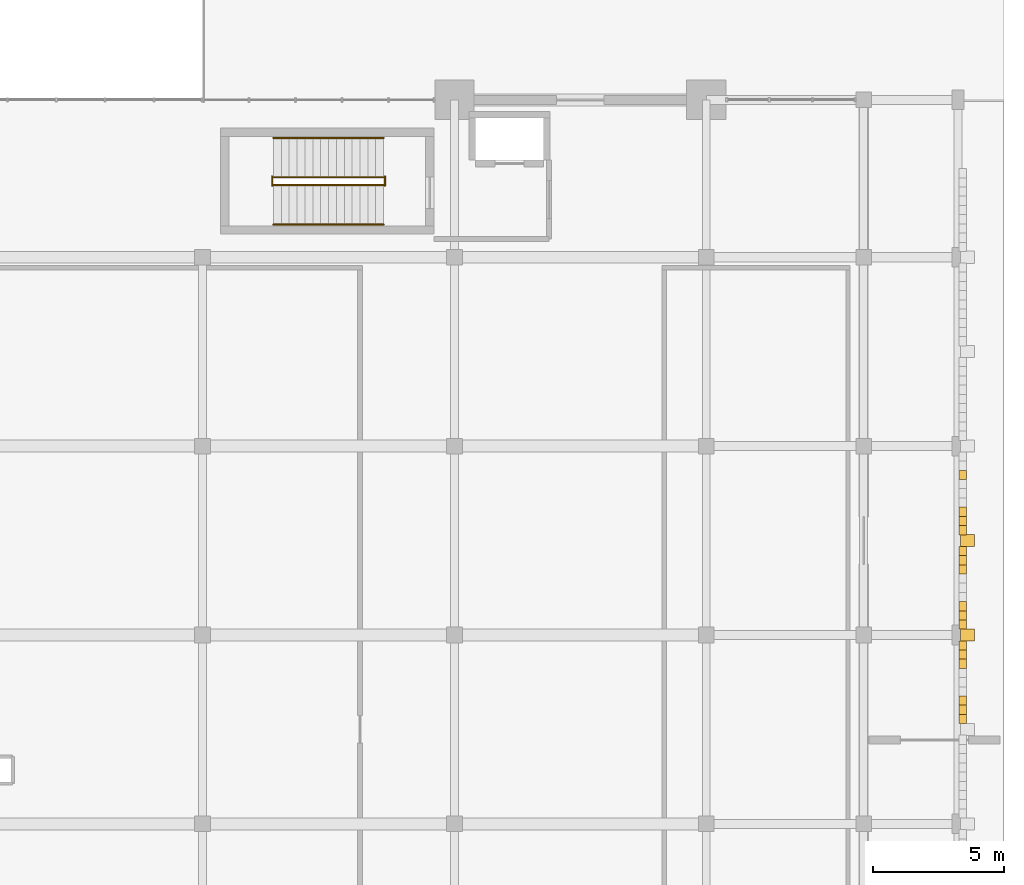
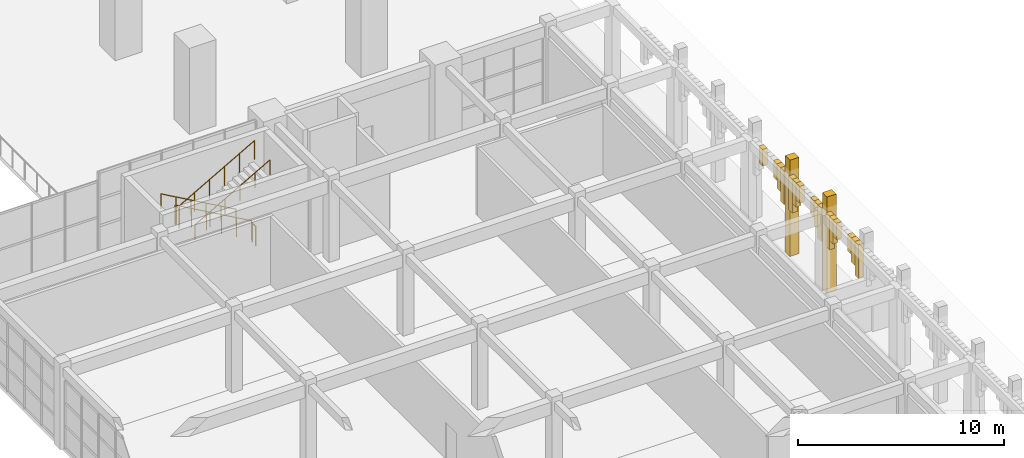
# One storey, part 60 of 72: 18 coverings, 6 railings.
"""IFC4 building model written with IfcOpenShell, lengths in metres."""

from ifc_helpers import new_model, si_unit, direction, frame, origin, origin_2d, place, context, subcontext, project, spatial, rectangle, circle, extrude, material, layer, layer_set, type_object, element, save


model = new_model("IFC4")

# Units and contexts
model_context = context("Model", 3, precision=1e-05, world=origin(), true_north=direction((0.0, 1.0)))
body_context = subcontext(model_context, "Body", "Model", "MODEL_VIEW")
ifc_project = project(units=[si_unit("LENGTHUNIT", "METRE"), si_unit("AREAUNIT", "SQUARE_METRE"), si_unit("VOLUMEUNIT", "CUBIC_METRE"), si_unit("PLANEANGLEUNIT", "RADIAN"), si_unit("MASSUNIT", "GRAM", prefix="KILO")], contexts=[model_context])

# Site, building, storey
site_placement = place(None, origin())
site = spatial("IfcSite", under=ifc_project, at=site_placement, CompositionType="ELEMENT")
building_placement = place(site_placement, origin())
building = spatial("IfcBuilding", under=site, at=building_placement, Name="Nzembalo Square Collegiate School", CompositionType="ELEMENT")
storey_placement = place(building_placement, origin())
storey = spatial("IfcBuildingStorey", under=building, at=storey_placement, Name="L00", CompositionType="ELEMENT", Elevation=0.0)

# Coverings
ifc_material_1 = material(Name="Precast concrete C40/50 arch voussoir", Category="concrete")
ifc_layer = layer(ifc_material_1, 0.1201171875, Name="Precast concrete C40/50 arch voussoir")
ifc_layer_set = layer_set([ifc_layer], Name="Precast concrete C40/50 arch voussoir")
covering_type = type_object("IfcCoveringType", Name="AR01", PredefinedType="CLADDING", material=ifc_layer_set)
covering_1_placement = place(storey_placement, frame((169.3798828125, 26.795654296875, 2.808349609375), z_axis=(0.0, 0.0, 1.0), x_axis=(1.0, 0.0, 0.0)))
element("IfcCovering", 1, at=covering_1_placement, inside=storey, type_object=covering_type, Name="Gothic pointed arch voussoir AR01-082-0", PredefinedType="CLADDING", context=body_context, shape_type="SweptSolid", body=[
    extrude(rectangle(XDim=0.280029296875, YDim=0.35107421875, at=origin_2d()), origin(), (0.0, 0.0, 1.0), 1.99169921875),
])
covering_2_placement = place(storey_placement, frame((169.3798828125, 27.146728515625, 3.361083984375), z_axis=(0.0, 0.0, 1.0), x_axis=(1.0, 0.0, 0.0)))
element("IfcCovering", 2, at=covering_2_placement, inside=storey, type_object=covering_type, Name="Gothic pointed arch voussoir AR01-082-1", PredefinedType="CLADDING", context=body_context, shape_type="SweptSolid", body=[
    extrude(rectangle(XDim=0.280029296875, YDim=0.35107421875, at=origin_2d()), origin(), (0.0, 0.0, 1.0), 1.43896484375),
])
for number, where, z_axis, x_axis, name in (
    (3, (169.3798828125, 27.497802734375, 3.810546875), (0.0, 0.0, 1.0), (1.0, 0.0, 0.0), "Gothic pointed arch voussoir AR01-082-2"),
    (4, (169.3798828125, 28.902099609375, 3.810546875), (0.0, 0.0, 1.0), (1.0, 0.0, 0.0), "Gothic pointed arch voussoir AR01-082-6"),
):
    element("IfcCovering", number, at=place(storey_placement, frame(where, z_axis=z_axis, x_axis=x_axis)), inside=storey, type_object=covering_type, Name=name, PredefinedType="CLADDING", context=body_context, shape_type="SweptSolid", body=[
        extrude(rectangle(XDim=0.280029296875, YDim=0.35107421875, at=origin_2d()), origin(), (0.0, 0.0, 1.0), 0.989501953125),
    ])
covering_3_placement = place(storey_placement, frame((169.3798828125, 29.25341796875, 3.361328125), z_axis=(0.0, 0.0, 1.0), x_axis=(1.0, 0.0, 0.0)))
element("IfcCovering", 5, at=covering_3_placement, inside=storey, type_object=covering_type, Name="Gothic pointed arch voussoir AR01-082-7", PredefinedType="CLADDING", context=body_context, shape_type="SweptSolid", body=[
    extrude(rectangle(XDim=0.280029296875, YDim=0.35107421875, at=origin_2d()), origin(), (0.0, 0.0, 1.0), 1.438720703125),
])
covering_4_placement = place(storey_placement, frame((169.3798828125, 29.6044921875, 2.80859375), z_axis=(0.0, 0.0, 1.0), x_axis=(1.0, 0.0, 0.0)))
element("IfcCovering", 6, at=covering_4_placement, inside=storey, type_object=covering_type, Name="Gothic pointed arch voussoir AR01-082-8", PredefinedType="CLADDING", context=body_context, shape_type="SweptSolid", body=[
    extrude(rectangle(XDim=0.280029296875, YDim=0.35107421875, at=origin_2d()), origin(), (0.0, 0.0, 1.0), 1.991455078125),
])
covering_5_placement = place(storey_placement, frame((169.3798828125, 30.3955078125, 2.808349609375), z_axis=(0.0, 0.0, 1.0), x_axis=(1.0, 0.0, 0.0)))
element("IfcCovering", 7, at=covering_5_placement, inside=storey, type_object=covering_type, Name="Gothic pointed arch voussoir AR01-083-0", PredefinedType="CLADDING", context=body_context, shape_type="SweptSolid", body=[
    extrude(rectangle(XDim=0.280029296875, YDim=0.35107421875, at=origin_2d()), origin(), (0.0, 0.0, 1.0), 1.99169921875),
])
covering_6_placement = place(storey_placement, frame((169.3798828125, 30.74658203125, 3.361083984375), z_axis=(0.0, 0.0, 1.0), x_axis=(1.0, 0.0, 0.0)))
element("IfcCovering", 8, at=covering_6_placement, inside=storey, type_object=covering_type, Name="Gothic pointed arch voussoir AR01-083-1", PredefinedType="CLADDING", context=body_context, shape_type="SweptSolid", body=[
    extrude(rectangle(XDim=0.280029296875, YDim=0.35107421875, at=origin_2d()), origin(), (0.0, 0.0, 1.0), 1.43896484375),
])
for number, where, z_axis, x_axis, name in (
    (9, (169.3798828125, 31.097900390625, 3.810546875), (0.0, 0.0, 1.0), (1.0, 0.0, 0.0), "Gothic pointed arch voussoir AR01-083-2"),
    (10, (169.3798828125, 32.502197265625, 3.810546875), (0.0, 0.0, 1.0), (1.0, 0.0, 0.0), "Gothic pointed arch voussoir AR01-083-6"),
):
    element("IfcCovering", number, at=place(storey_placement, frame(where, z_axis=z_axis, x_axis=x_axis)), inside=storey, type_object=covering_type, Name=name, PredefinedType="CLADDING", context=body_context, shape_type="SweptSolid", body=[
        extrude(rectangle(XDim=0.280029296875, YDim=0.35107421875, at=origin_2d()), origin(), (0.0, 0.0, 1.0), 0.989501953125),
    ])
covering_7_placement = place(storey_placement, frame((169.3798828125, 32.853271484375, 3.361328125), z_axis=(0.0, 0.0, 1.0), x_axis=(1.0, 0.0, 0.0)))
element("IfcCovering", 11, at=covering_7_placement, inside=storey, type_object=covering_type, Name="Gothic pointed arch voussoir AR01-083-7", PredefinedType="CLADDING", context=body_context, shape_type="SweptSolid", body=[
    extrude(rectangle(XDim=0.280029296875, YDim=0.35107421875, at=origin_2d()), origin(), (0.0, 0.0, 1.0), 1.438720703125),
])
covering_8_placement = place(storey_placement, frame((169.3798828125, 33.204345703125, 2.80859375), z_axis=(0.0, 0.0, 1.0), x_axis=(1.0, 0.0, 0.0)))
element("IfcCovering", 12, at=covering_8_placement, inside=storey, type_object=covering_type, Name="Gothic pointed arch voussoir AR01-083-8", PredefinedType="CLADDING", context=body_context, shape_type="SweptSolid", body=[
    extrude(rectangle(XDim=0.280029296875, YDim=0.35107421875, at=origin_2d()), origin(), (0.0, 0.0, 1.0), 1.991455078125),
])
covering_9_placement = place(storey_placement, frame((169.56005859375, 30.0, 0.0), z_axis=(0.0, 0.0, 1.0), x_axis=(1.0, 0.0, 0.0)))
element("IfcCovering", 13, at=covering_9_placement, inside=storey, type_object=covering_type, Name="Gothic arcade buttress pinnacle AR01-B083", PredefinedType="CLADDING", context=body_context, shape_type="SweptSolid", body=[
    extrude(rectangle(XDim=0.52001953125, YDim=0.4599609375, at=origin_2d()), origin(), (0.0, 0.0, 1.0), 5.699951171875),
])
covering_10_placement = place(storey_placement, frame((169.3798828125, 33.99560546875, 2.808349609375), z_axis=(0.0, 0.0, 1.0), x_axis=(1.0, 0.0, 0.0)))
element("IfcCovering", 14, at=covering_10_placement, inside=storey, type_object=covering_type, Name="Gothic pointed arch voussoir AR01-084-0", PredefinedType="CLADDING", context=body_context, shape_type="SweptSolid", body=[
    extrude(rectangle(XDim=0.280029296875, YDim=0.35107421875, at=origin_2d()), origin(), (0.0, 0.0, 1.0), 1.99169921875),
])
covering_11_placement = place(storey_placement, frame((169.3798828125, 34.3466796875, 3.361083984375), z_axis=(0.0, 0.0, 1.0), x_axis=(1.0, 0.0, 0.0)))
element("IfcCovering", 15, at=covering_11_placement, inside=storey, type_object=covering_type, Name="Gothic pointed arch voussoir AR01-084-1", PredefinedType="CLADDING", context=body_context, shape_type="SweptSolid", body=[
    extrude(rectangle(XDim=0.280029296875, YDim=0.35107421875, at=origin_2d()), origin(), (0.0, 0.0, 1.0), 1.43896484375),
])
for number, where, z_axis, x_axis, name in (
    (16, (169.3798828125, 34.69775390625, 3.810546875), (0.0, 0.0, 1.0), (1.0, 0.0, 0.0), "Gothic pointed arch voussoir AR01-084-2"),
    (17, (169.3798828125, 36.102294921875, 3.810546875), (0.0, 0.0, 1.0), (1.0, 0.0, 0.0), "Gothic pointed arch voussoir AR01-084-6"),
):
    element("IfcCovering", number, at=place(storey_placement, frame(where, z_axis=z_axis, x_axis=x_axis)), inside=storey, type_object=covering_type, Name=name, PredefinedType="CLADDING", context=body_context, shape_type="SweptSolid", body=[
        extrude(rectangle(XDim=0.280029296875, YDim=0.35107421875, at=origin_2d()), origin(), (0.0, 0.0, 1.0), 0.989501953125),
    ])
covering_12_placement = place(storey_placement, frame((169.56005859375, 33.60009765625, 0.0), z_axis=(0.0, 0.0, 1.0), x_axis=(1.0, 0.0, 0.0)))
element("IfcCovering", 18, at=covering_12_placement, inside=storey, type_object=covering_type, Name="Gothic arcade buttress pinnacle AR01-B084", PredefinedType="CLADDING", context=body_context, shape_type="SweptSolid", body=[
    extrude(rectangle(XDim=0.52001953125, YDim=0.4599609375, at=origin_2d()), origin(), (0.0, 0.0, 1.0), 5.699951171875),
])

# Railings
ifc_material_2 = material(Name="Steel S355", Category="steel")
railing_type_1 = type_object("IfcRailingType", Name="GR01", PredefinedType="GUARDRAIL", material=ifc_material_2)
railing_1_placement = place(storey_placement, frame((147.300048828125, 47.449951171875, 0.159912109375)))
element("IfcRailing", 19, at=railing_1_placement, inside=storey, type_object=railing_type_1, Name="Stair guard GR-19-1", PredefinedType="GUARDRAIL", context=body_context, shape_type="SweptSolid", body=[
    extrude(circle(Radius=0.02392578125, at=origin_2d()), frame((0.0, 0.0, 1.1259765625), z_axis=(-0.870008446991, 0.0, 0.493036816236), x_axis=(0.0, -1.0, 0.0)), (0.0, 0.0, 1.0), 4.827392578125),
    extrude(circle(Radius=0.02099609375, at=origin_2d()), origin(), (0.0, 0.0, 1.0), 1.101806640625),
    extrude(circle(Radius=0.02099609375, at=origin_2d()), frame((-0.840087890625, 0.0, 0.47607421875)), (0.0, 0.0, 1.0), 1.101806640625),
    extrude(circle(Radius=0.02099609375, at=origin_2d()), frame((-1.679931640625, 0.0, 0.9521484375)), (0.0, 0.0, 1.0), 1.101806640625),
    extrude(circle(Radius=0.02099609375, at=origin_2d()), frame((-2.52001953125, 0.0, 1.427978515625)), (0.0, 0.0, 1.0), 1.101806640625),
    extrude(circle(Radius=0.02099609375, at=origin_2d()), frame((-3.35986328125, 0.0, 1.904052734375)), (0.0, 0.0, 1.0), 1.101806640625),
    extrude(circle(Radius=0.02099609375, at=origin_2d()), frame((-4.199951171875, 0.0, 2.380126953125)), (0.0, 0.0, 1.0), 1.101806640625),
])
railing_2_placement = place(storey_placement, frame((143.050048828125, 47.1201171875, 2.544921875)))
element("IfcRailing", 20, at=railing_2_placement, inside=storey, type_object=railing_type_1, Name="Stair guard GR-19-2", PredefinedType="GUARDRAIL", context=body_context, shape_type="SweptSolid", body=[
    extrude(circle(Radius=0.02392578125, at=origin_2d()), frame((0.0, 0.0, 1.1259765625), z_axis=(0.0, 1.0, 0.0), x_axis=(-1.0, 0.0, 0.0)), (0.0, 0.0, 1.0), 0.35986328125),
    extrude(circle(Radius=0.02099609375, at=origin_2d()), origin(), (0.0, 0.0, 1.0), 1.101806640625),
    extrude(circle(Radius=0.02099609375, at=origin_2d()), frame((0.0, 0.35986328125, 0.0)), (0.0, 0.0, 1.0), 1.101806640625),
])
railing_3_placement = place(storey_placement, frame((143.10009765625, 47.14990234375, 2.7099609375)))
element("IfcRailing", 21, at=railing_3_placement, inside=storey, type_object=railing_type_1, Name="Stair guard GR-19-3", PredefinedType="GUARDRAIL", context=body_context, shape_type="SweptSolid", body=[
    extrude(circle(Radius=0.02392578125, at=origin_2d()), frame((0.0, 0.0, 1.1259765625), z_axis=(0.870008446991, 0.0, 0.493036816236), x_axis=(0.0, 1.0, 0.0)), (0.0, 0.0, 1.0), 4.827392578125),
    extrude(circle(Radius=0.02099609375, at=origin_2d()), origin(), (0.0, 0.0, 1.0), 1.101806640625),
    extrude(circle(Radius=0.02099609375, at=origin_2d()), frame((0.840087890625, 0.0, 0.47607421875)), (0.0, 0.0, 1.0), 1.101806640625),
    extrude(circle(Radius=0.02099609375, at=origin_2d()), frame((1.679931640625, 0.0, 0.9521484375)), (0.0, 0.0, 1.0), 1.101806640625),
    extrude(circle(Radius=0.02099609375, at=origin_2d()), frame((2.52001953125, 0.0, 1.427978515625)), (0.0, 0.0, 1.0), 1.101806640625),
    extrude(circle(Radius=0.02099609375, at=origin_2d()), frame((3.35986328125, 0.0, 1.904052734375)), (0.0, 0.0, 1.0), 1.101806640625),
    extrude(circle(Radius=0.02099609375, at=origin_2d()), frame((4.199951171875, 0.0, 2.380126953125)), (0.0, 0.0, 1.0), 1.101806640625),
])
railing_4_placement = place(storey_placement, frame((147.35009765625, 47.1201171875, -0.0048828125)))
element("IfcRailing", 22, at=railing_4_placement, inside=storey, type_object=railing_type_1, Name="Stair guard GR-19-4", PredefinedType="GUARDRAIL", context=body_context, shape_type="SweptSolid", body=[
    extrude(circle(Radius=0.02392578125, at=origin_2d()), frame((0.0, 0.0, 1.1259765625), z_axis=(0.0, 1.0, 0.0), x_axis=(-1.0, 0.0, 0.0)), (0.0, 0.0, 1.0), 0.35986328125),
    extrude(circle(Radius=0.02099609375, at=origin_2d()), origin(), (0.0, 0.0, 1.0), 1.101806640625),
    extrude(circle(Radius=0.02099609375, at=origin_2d()), frame((0.0, 0.35986328125, 0.0)), (0.0, 0.0, 1.0), 1.101806640625),
])
ifc_material_3 = material(Name="Steel S355", Category="steel")
railing_type_2 = type_object("IfcRailingType", Name="HR01", PredefinedType="HANDRAIL", material=ifc_material_3)
railing_5_placement = place(storey_placement, frame((147.300048828125, 48.949951171875, 0.159912109375)))
element("IfcRailing", 23, at=railing_5_placement, inside=storey, type_object=railing_type_2, Name="Stair handrail HR-19-1", PredefinedType="HANDRAIL", context=body_context, shape_type="SweptSolid", body=[
    extrude(circle(Radius=0.02392578125, at=origin_2d()), frame((0.0, 0.0, 0.89599609375), z_axis=(-0.870008446991, 0.0, 0.493036816236), x_axis=(0.0, -1.0, 0.0)), (0.0, 0.0, 1.0), 4.827392578125),
    extrude(circle(Radius=0.02099609375, at=origin_2d()), origin(), (0.0, 0.0, 1.0), 0.871826171875),
    extrude(circle(Radius=0.02099609375, at=origin_2d()), frame((-0.840087890625, 0.0, 0.47607421875)), (0.0, 0.0, 1.0), 0.871826171875),
    extrude(circle(Radius=0.02099609375, at=origin_2d()), frame((-1.679931640625, 0.0, 0.9521484375)), (0.0, 0.0, 1.0), 0.871826171875),
    extrude(circle(Radius=0.02099609375, at=origin_2d()), frame((-2.52001953125, 0.0, 1.427978515625)), (0.0, 0.0, 1.0), 0.871826171875),
    extrude(circle(Radius=0.02099609375, at=origin_2d()), frame((-3.35986328125, 0.0, 1.904052734375)), (0.0, 0.0, 1.0), 0.871826171875),
    extrude(circle(Radius=0.02099609375, at=origin_2d()), frame((-4.199951171875, 0.0, 2.380126953125)), (0.0, 0.0, 1.0), 0.871826171875),
])
railing_6_placement = place(storey_placement, frame((143.10009765625, 45.64990234375, 2.7099609375)))
element("IfcRailing", 24, at=railing_6_placement, inside=storey, type_object=railing_type_2, Name="Stair handrail HR-19-2", PredefinedType="HANDRAIL", context=body_context, shape_type="SweptSolid", body=[
    extrude(circle(Radius=0.02392578125, at=origin_2d()), frame((0.0, 0.0, 0.89599609375), z_axis=(0.870008446991, 0.0, 0.493036816236), x_axis=(0.0, 1.0, 0.0)), (0.0, 0.0, 1.0), 4.827392578125),
    extrude(circle(Radius=0.02099609375, at=origin_2d()), origin(), (0.0, 0.0, 1.0), 0.871826171875),
    extrude(circle(Radius=0.02099609375, at=origin_2d()), frame((0.840087890625, 0.0, 0.47607421875)), (0.0, 0.0, 1.0), 0.871826171875),
    extrude(circle(Radius=0.02099609375, at=origin_2d()), frame((1.679931640625, 0.0, 0.9521484375)), (0.0, 0.0, 1.0), 0.871826171875),
    extrude(circle(Radius=0.02099609375, at=origin_2d()), frame((2.52001953125, 0.0, 1.427978515625)), (0.0, 0.0, 1.0), 0.871826171875),
    extrude(circle(Radius=0.02099609375, at=origin_2d()), frame((3.35986328125, 0.0, 1.904052734375)), (0.0, 0.0, 1.0), 0.871826171875),
    extrude(circle(Radius=0.02099609375, at=origin_2d()), frame((4.199951171875, 0.0, 2.380126953125)), (0.0, 0.0, 1.0), 0.871826171875),
])

save(model, "model.ifc")
